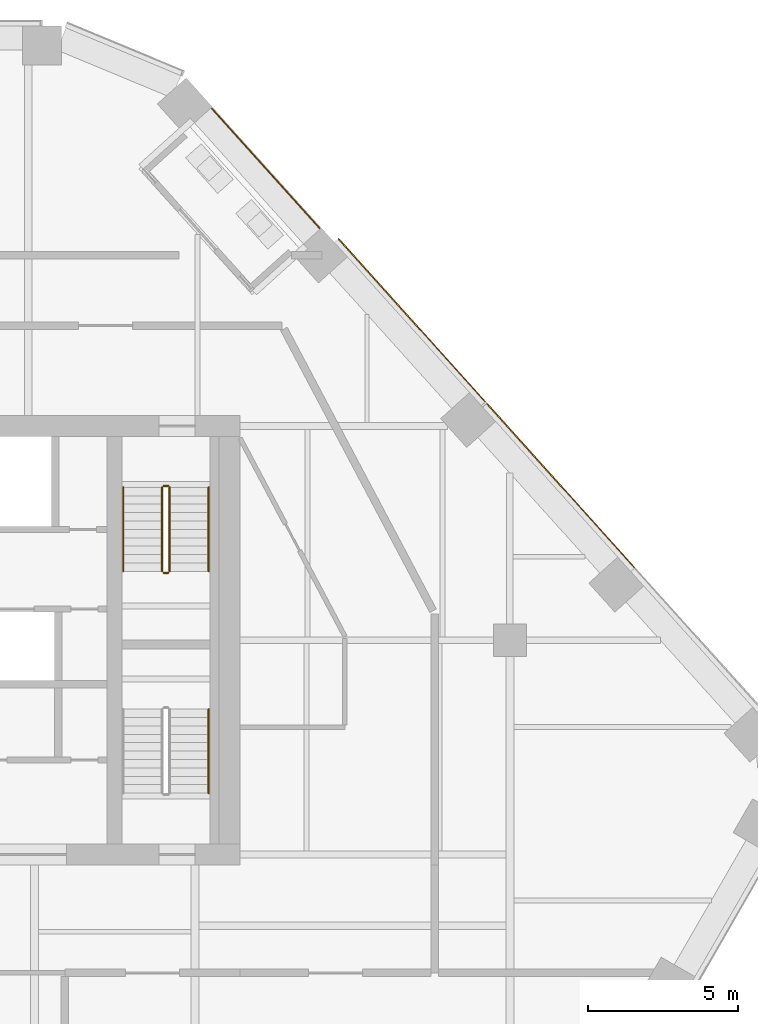
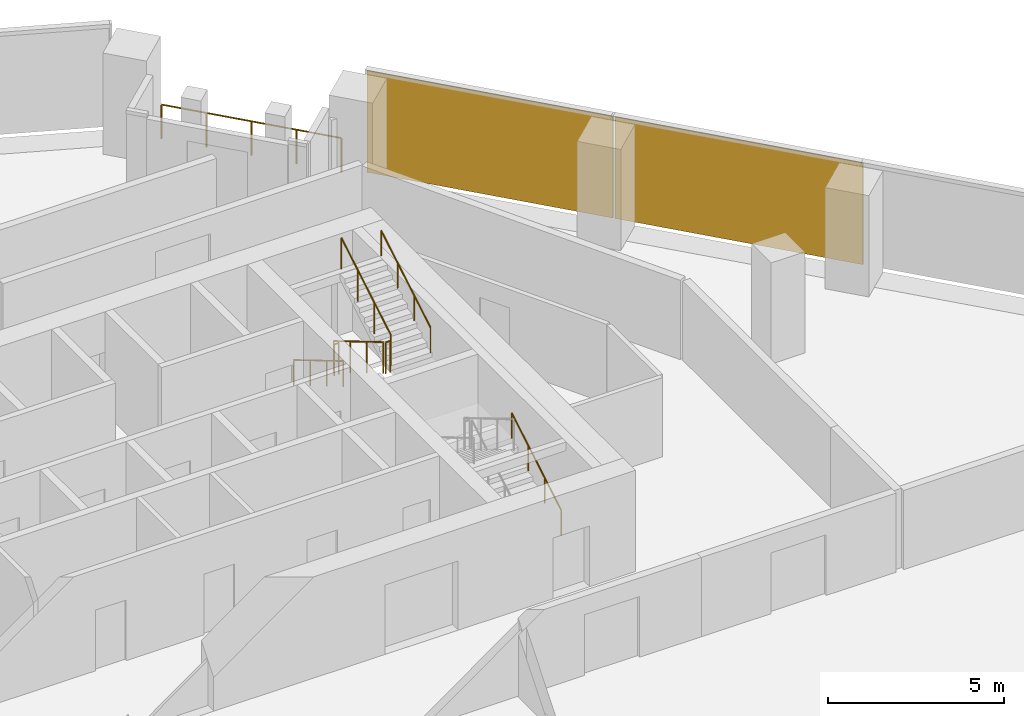
# One storey, part 24 of 25: 8 railings, 2 coverings, 1 element without a shape of its own.
"""IFC4 building model written with IfcOpenShell, lengths in metres."""

from ifc_helpers import new_model, si_unit, direction, frame, origin, origin_2d, place, context, subcontext, project, spatial, rectangle, circle, extrude, material, layer, layer_set, type_object, element, aggregate, save


model = new_model("IFC4")

# Units and contexts
model_context = context("Model", 3, precision=1e-05, world=origin(), true_north=direction((0.0, 1.0)))
body_context = subcontext(model_context, "Body", "Model", "MODEL_VIEW")
ifc_project = project(units=[si_unit("LENGTHUNIT", "METRE"), si_unit("AREAUNIT", "SQUARE_METRE"), si_unit("VOLUMEUNIT", "CUBIC_METRE"), si_unit("PLANEANGLEUNIT", "RADIAN"), si_unit("MASSUNIT", "GRAM", prefix="KILO")], contexts=[model_context])

# Site, building, storey
site_placement = place(None, origin())
site = spatial("IfcSite", under=ifc_project, at=site_placement, CompositionType="ELEMENT")
building_placement = place(site_placement, origin())
building = spatial("IfcBuilding", under=site, at=building_placement, Name="Isthmus Gate Tower", CompositionType="ELEMENT")
storey_placement = place(building_placement, frame((0.0, 0.0, 174.449951171875)))
storey = spatial("IfcBuildingStorey", under=building, at=storey_placement, Name="L43", CompositionType="ELEMENT", Elevation=174.449951171875)

# Curtain wall, coverings
ifc_material_1 = material(Name="Aluminium, pale champagne anodised", Category="aluminium")
ifc_layer_1 = layer(ifc_material_1, 0.199951171875)
ifc_layer_set_1 = layer_set([ifc_layer_1], Name="CW-1 UNITISED CURTAIN WALL 200 DEEP")
curtain_wall_type = type_object("IfcCurtainWallType", Name="CW-1 UNITISED CURTAIN WALL 200 DEEP", PredefinedType="NOTDEFINED", material=ifc_layer_set_1)
curtain_wall_placement = place(storey_placement, origin())
curtain_wall = element("IfcCurtainWall", 1, at=curtain_wall_placement, inside=storey, type_object=curtain_wall_type, Name="CW-1 NE L43", PredefinedType="NOTDEFINED")
ifc_material_2 = material(Name="Aluminium composite panel, pale champagne anodised", Category="aluminium")
ifc_layer_2 = layer(ifc_material_2, 0.035888671875)
ifc_layer_set_2 = layer_set([ifc_layer_2], Name="CW-1 PALE METAL PANEL 36")
covering_type = type_object("IfcCoveringType", Name="CW-1 PALE METAL PANEL 36", PredefinedType="CLADDING", material=ifc_layer_set_2)
covering_1_placement = place(storey_placement, frame((25.70068359375, 12.659423828125, 0.0), z_axis=(0.0, 0.0, 1.0), x_axis=(-0.669130606359, 0.743144825477, 0.0)))
covering_1 = element("IfcCovering", 2, at=covering_1_placement, type_object=covering_type, Name="CW-1 pale metal panel", PredefinedType="CLADDING", context=body_context, shape_type="SweptSolid", body=[
    extrude(rectangle(XDim=7.390869140625, YDim=0.035888671875, at=origin_2d()), origin(), (0.0, 0.0, 1.0), 3.510009765625),
])
covering_2_placement = place(storey_placement, frame((20.735107421875, 18.17431640625, 0.0), z_axis=(0.0, 0.0, 1.0), x_axis=(-0.669130606359, 0.743144825477, 0.0)))
covering_2 = element("IfcCovering", 3, at=covering_2_placement, type_object=covering_type, Name="CW-1 pale metal panel", PredefinedType="CLADDING", context=body_context, shape_type="SweptSolid", body=[
    extrude(rectangle(XDim=7.330810546875, YDim=0.035888671875, at=origin_2d()), origin(), (0.0, 0.0, 1.0), 3.510009765625),
])
aggregate(curtain_wall, [covering_1, covering_2])

# Railings
ifc_material_3 = material(Name="Toughened laminated glass with stainless steel posts", Category="steel")
railing_type_1 = type_object("IfcRailingType", Name="GUARD 1200 FRAMELESS GLASS", PredefinedType="GUARDRAIL", material=ifc_material_3)
railing_1_placement = place(storey_placement, frame((17.6484375, 21.255615234375, 0.0)))
element("IfcRailing", 4, at=railing_1_placement, inside=storey, type_object=railing_type_1, Name="LOGGIA GUARD", PredefinedType="GUARDRAIL", context=body_context, shape_type="SweptSolid", body=[
    extrude(circle(Radius=0.02490234375, at=origin_2d()), frame((0.0, 0.0, 1.1748046875), z_axis=(-0.669135807644, 0.743140142186, 0.0), x_axis=(-0.743140142186, -0.669135807644, 0.0)), (0.0, 0.0, 1.0), 5.36083984375),
    extrude(circle(Radius=0.02490234375, at=origin_2d()), origin(), (0.0, 0.0, 1.0), 1.14990234375),
    extrude(circle(Radius=0.02490234375, at=origin_2d()), frame((-0.896728515625, 0.99609375, 0.0)), (0.0, 0.0, 1.0), 1.14990234375),
    extrude(circle(Radius=0.02490234375, at=origin_2d()), frame((-1.79345703125, 1.991943359375, 0.0)), (0.0, 0.0, 1.0), 1.14990234375),
    extrude(circle(Radius=0.02490234375, at=origin_2d()), frame((-2.6904296875, 2.98779296875, 0.0)), (0.0, 0.0, 1.0), 1.14990234375),
    extrude(circle(Radius=0.02490234375, at=origin_2d()), frame((-3.587158203125, 3.98388671875, 0.0)), (0.0, 0.0, 1.0), 1.14990234375),
])
ifc_material_4 = material(Name="Stainless steel balustrade", Category="steel")
railing_type_2 = type_object("IfcRailingType", Name="STAIR GUARD 1100", PredefinedType="GUARDRAIL", material=ifc_material_4)
railing_2_placement = place(storey_placement, frame((12.39990234375, 12.60009765625, 0.166015625)))
element("IfcRailing", 5, at=railing_2_placement, inside=storey, type_object=railing_type_2, Name="L43 ST2 stair guard 1", PredefinedType="GUARDRAIL", context=body_context, shape_type="SweptSolid", body=[
    extrude(circle(Radius=0.02392578125, at=origin_2d()), frame((0.0, 0.0, 1.076171875), z_axis=(0.0, -0.860339051648, 0.50972219513), x_axis=(1.0, 0.0, 0.0)), (0.0, 0.0, 1.0), 3.254638671875),
    extrude(circle(Radius=0.02099609375, at=origin_2d()), origin(), (0.0, 0.0, 1.0), 1.052001953125),
    extrude(circle(Radius=0.02099609375, at=origin_2d()), frame((0.0, -0.933349609375, 0.552978515625)), (0.0, 0.0, 1.0), 1.052001953125),
    extrude(circle(Radius=0.02099609375, at=origin_2d()), frame((0.0, -1.86669921875, 1.10595703125)), (0.0, 0.0, 1.0), 1.052001953125),
    extrude(circle(Radius=0.02099609375, at=origin_2d()), frame((0.0, -2.800048828125, 1.658935546875)), (0.0, 0.0, 1.0), 1.052001953125),
])
railing_3_placement = place(storey_placement, frame((12.449951171875, 9.75, 1.824951171875)))
element("IfcRailing", 6, at=railing_3_placement, inside=storey, type_object=railing_type_2, Name="L43 ST2 stair guard 2", PredefinedType="GUARDRAIL", context=body_context, shape_type="SweptSolid", body=[
    extrude(circle(Radius=0.02392578125, at=origin_2d()), frame((0.0, 0.0, 1.076171875), z_axis=(1.0, 0.0, 0.0), x_axis=(0.0, 1.0, 0.0)), (0.0, 0.0, 1.0), 0.150146484375),
    extrude(circle(Radius=0.02099609375, at=origin_2d()), origin(), (0.0, 0.0, 1.0), 1.052001953125),
    extrude(circle(Radius=0.02099609375, at=origin_2d()), frame((0.150146484375, 0.0, 0.0)), (0.0, 0.0, 1.0), 1.052001953125),
])
railing_4_placement = place(storey_placement, frame((12.64990234375, 9.800048828125, 1.990966796875)))
element("IfcRailing", 7, at=railing_4_placement, inside=storey, type_object=railing_type_2, Name="L43 ST2 stair guard 3", PredefinedType="GUARDRAIL", context=body_context, shape_type="SweptSolid", body=[
    extrude(circle(Radius=0.02392578125, at=origin_2d()), frame((0.0, 0.0, 1.076171875), z_axis=(0.0, 0.860306154799, 0.50977771628), x_axis=(-1.0, 0.0, 0.0)), (0.0, 0.0, 1.0), 3.254638671875),
    extrude(circle(Radius=0.02099609375, at=origin_2d()), origin(), (0.0, 0.0, 1.0), 1.052001953125),
    extrude(circle(Radius=0.02099609375, at=origin_2d()), frame((0.0, 0.933349609375, 0.552978515625)), (0.0, 0.0, 1.0), 1.052001953125),
    extrude(circle(Radius=0.02099609375, at=origin_2d()), frame((0.0, 1.86669921875, 1.106201171875)), (0.0, 0.0, 1.0), 1.052001953125),
    extrude(circle(Radius=0.02099609375, at=origin_2d()), frame((0.0, 2.800048828125, 1.6591796875)), (0.0, 0.0, 1.0), 1.052001953125),
])
railing_5_placement = place(storey_placement, frame((12.449951171875, 12.64990234375, 0.0)))
element("IfcRailing", 8, at=railing_5_placement, inside=storey, type_object=railing_type_2, Name="L43 ST2 stair guard 4", PredefinedType="GUARDRAIL", context=body_context, shape_type="SweptSolid", body=[
    extrude(circle(Radius=0.02392578125, at=origin_2d()), frame((0.0, 0.0, 1.076171875), z_axis=(1.0, 0.0, 0.0), x_axis=(0.0, 1.0, 0.0)), (0.0, 0.0, 1.0), 0.150146484375),
    extrude(circle(Radius=0.02099609375, at=origin_2d()), origin(), (0.0, 0.0, 1.0), 1.052001953125),
    extrude(circle(Radius=0.02099609375, at=origin_2d()), frame((0.150146484375, 0.0, 0.0)), (0.0, 0.0, 1.0), 1.052001953125),
])
ifc_material_5 = material(Name="Stainless steel handrail", Category="steel")
railing_type_3 = type_object("IfcRailingType", Name="STAIR HANDRAIL 900", PredefinedType="HANDRAIL", material=ifc_material_5)
railing_6_placement = place(storey_placement, frame((11.10009765625, 12.60009765625, 0.166015625)))
element("IfcRailing", 9, at=railing_6_placement, inside=storey, type_object=railing_type_3, Name="L43 ST2 stair handrail 1", PredefinedType="HANDRAIL", context=body_context, shape_type="SweptSolid", body=[
    extrude(circle(Radius=0.02392578125, at=origin_2d()), frame((0.0, 0.0, 0.8759765625), z_axis=(0.0, -0.860339051648, 0.50972219513), x_axis=(1.0, 0.0, 0.0)), (0.0, 0.0, 1.0), 3.254638671875),
    extrude(circle(Radius=0.02099609375, at=origin_2d()), origin(), (0.0, 0.0, 1.0), 0.851806640625),
    extrude(circle(Radius=0.02099609375, at=origin_2d()), frame((0.0, -0.933349609375, 0.552978515625)), (0.0, 0.0, 1.0), 0.851806640625),
    extrude(circle(Radius=0.02099609375, at=origin_2d()), frame((0.0, -1.86669921875, 1.10595703125)), (0.0, 0.0, 1.0), 0.851806640625),
    extrude(circle(Radius=0.02099609375, at=origin_2d()), frame((0.0, -2.800048828125, 1.658935546875)), (0.0, 0.0, 1.0), 0.851806640625),
])
railing_7_placement = place(storey_placement, frame((13.949951171875, 9.800048828125, 1.990966796875)))
element("IfcRailing", 10, at=railing_7_placement, inside=storey, type_object=railing_type_3, Name="L43 ST2 stair handrail 2", PredefinedType="HANDRAIL", context=body_context, shape_type="SweptSolid", body=[
    extrude(circle(Radius=0.02392578125, at=origin_2d()), frame((0.0, 0.0, 0.8759765625), z_axis=(0.0, 0.860306154799, 0.50977771628), x_axis=(-1.0, 0.0, 0.0)), (0.0, 0.0, 1.0), 3.254638671875),
    extrude(circle(Radius=0.02099609375, at=origin_2d()), origin(), (0.0, 0.0, 1.0), 0.851806640625),
    extrude(circle(Radius=0.02099609375, at=origin_2d()), frame((0.0, 0.933349609375, 0.552978515625)), (0.0, 0.0, 1.0), 0.851806640625),
    extrude(circle(Radius=0.02099609375, at=origin_2d()), frame((0.0, 1.86669921875, 1.106201171875)), (0.0, 0.0, 1.0), 0.851806640625),
    extrude(circle(Radius=0.02099609375, at=origin_2d()), frame((0.0, 2.800048828125, 1.6591796875)), (0.0, 0.0, 1.0), 0.851806640625),
])
railing_8_placement = place(storey_placement, frame((13.949951171875, 2.39990234375, 0.166015625)))
element("IfcRailing", 11, at=railing_8_placement, inside=storey, type_object=railing_type_3, Name="L43 ST8 stair handrail 1", PredefinedType="HANDRAIL", context=body_context, shape_type="SweptSolid", body=[
    extrude(circle(Radius=0.02392578125, at=origin_2d()), frame((0.0, 0.0, 0.8759765625), z_axis=(0.0, 0.860339051648, 0.50972219513), x_axis=(-1.0, 0.0, 0.0)), (0.0, 0.0, 1.0), 3.254638671875),
    extrude(circle(Radius=0.02099609375, at=origin_2d()), origin(), (0.0, 0.0, 1.0), 0.851806640625),
    extrude(circle(Radius=0.02099609375, at=origin_2d()), frame((0.0, 0.933349609375, 0.552978515625)), (0.0, 0.0, 1.0), 0.851806640625),
    extrude(circle(Radius=0.02099609375, at=origin_2d()), frame((0.0, 1.86669921875, 1.10595703125)), (0.0, 0.0, 1.0), 0.851806640625),
    extrude(circle(Radius=0.02099609375, at=origin_2d()), frame((0.0, 2.800048828125, 1.658935546875)), (0.0, 0.0, 1.0), 0.851806640625),
])

save(model, "model.ifc")
